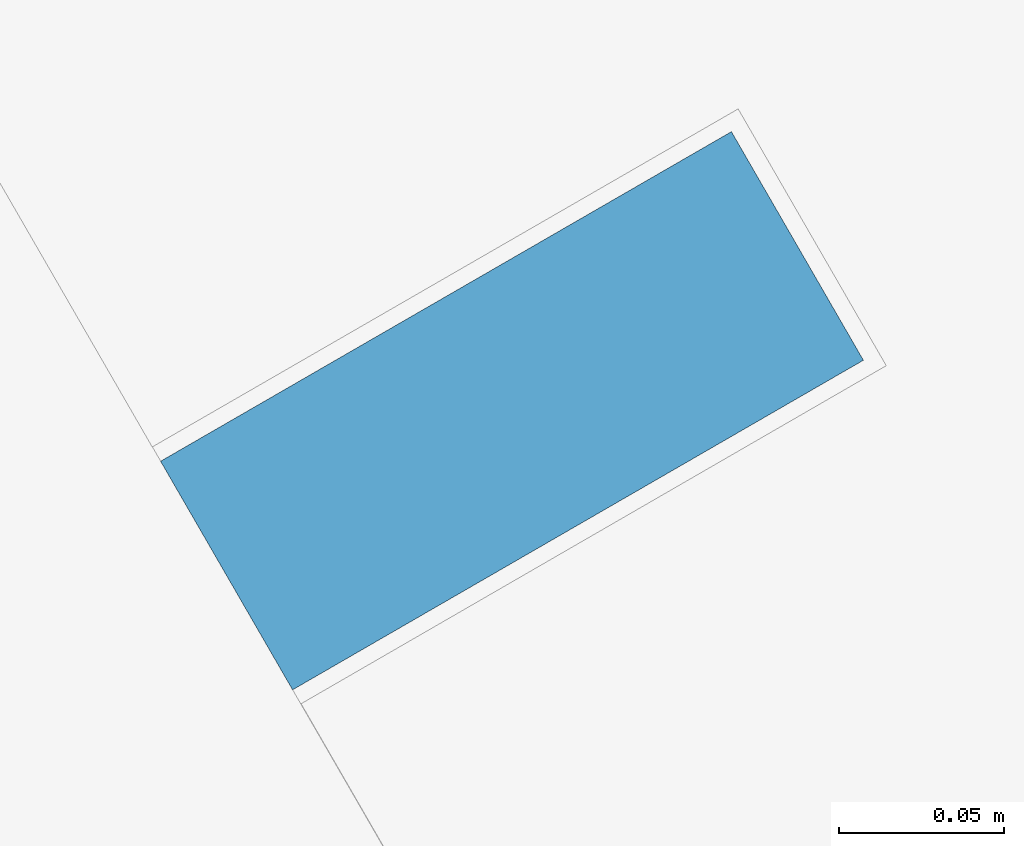
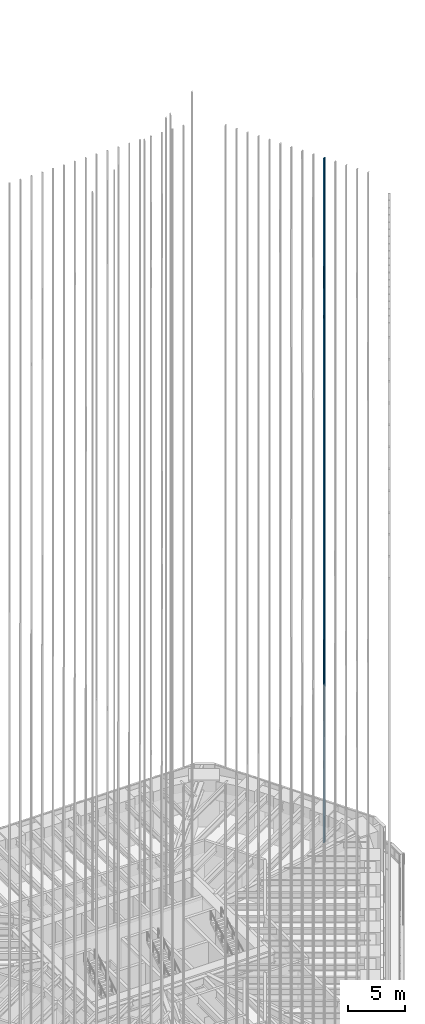
# One storey, part 182 of 228: 1 member, 1 element without a shape of its own.
"""IFC4 building model written with IfcOpenShell, lengths in metres."""

from ifc_helpers import new_model, si_unit, direction, frame, origin, origin_2d, place, context, subcontext, project, spatial, rectangle, extrude, material, material_profile, profile_set, type_object, element, aggregate, save


model = new_model("IFC4")

# Units and contexts
model_context = context("Model", 3, precision=1e-05, world=origin(), true_north=direction((0.0, 1.0)))
body_context = subcontext(model_context, "Body", "Model", "MODEL_VIEW")
ifc_project = project(units=[si_unit("LENGTHUNIT", "METRE"), si_unit("AREAUNIT", "SQUARE_METRE"), si_unit("VOLUMEUNIT", "CUBIC_METRE"), si_unit("PLANEANGLEUNIT", "RADIAN"), si_unit("MASSUNIT", "GRAM", prefix="KILO")], contexts=[model_context])

# Site, building, storey
site_placement = place(None, origin())
site = spatial("IfcSite", under=ifc_project, at=site_placement, CompositionType="ELEMENT")
building_placement = place(site_placement, origin())
building = spatial("IfcBuilding", under=site, at=building_placement, Name="Sandreach Pilgrim Tower", CompositionType="ELEMENT")
storey_placement = place(building_placement, frame((0.0, 0.0, 178.199951171875)))
storey = spatial("IfcBuildingStorey", under=building, at=storey_placement, Name="L44", CompositionType="ELEMENT", Elevation=178.199951171875)

# Curtain wall, member
ifc_material_1 = material(Name="Aluminium framed curtain wall", Category="aluminium")
curtain_wall_type = type_object("IfcCurtainWallType", Name="Upper hotel tower curtain wall", PredefinedType="NOTDEFINED", material=ifc_material_1)
curtain_wall_placement = place(storey_placement, origin())
curtain_wall = element("IfcCurtainWall", 1, at=curtain_wall_placement, inside=storey, type_object=curtain_wall_type, Name="CW-3 L44 NE", PredefinedType="NOTDEFINED")
ifc_material_2 = material(Name="Extruded terracotta on aluminium core", Category="masonry")
ifc_material_profile = material_profile(ifc_material_2, rectangle(XDim=0.080078125, YDim=0.199951171875, at=origin_2d()), Name="TBE 80X200")
ifc_profile_set = profile_set([ifc_material_profile], Name="Extruded terracotta on aluminium core")
member_type = type_object("IfcMemberType", Name="Terracotta baguette east", PredefinedType="USERDEFINED", material=ifc_profile_set)
member_placement = place(storey_placement, frame((24.705810546875, 11.058349609375, 0.0), z_axis=(0.0, 0.0, 1.0), x_axis=(0.5, -0.866025403784, 0.0)))
member = element("IfcMember", 2, at=member_placement, type_object=member_type, Name="Baguette Z3 NE10", ObjectType="BAGUETTE", PredefinedType="USERDEFINED", context=body_context, shape_type="SweptSolid", body=[
    extrude(rectangle(XDim=0.080078125, YDim=0.199951171875, at=origin_2d()), origin(), (0.0, 0.0, 1.0), 73.239990234375),
])
aggregate(curtain_wall, [member])

save(model, "model.ifc")
